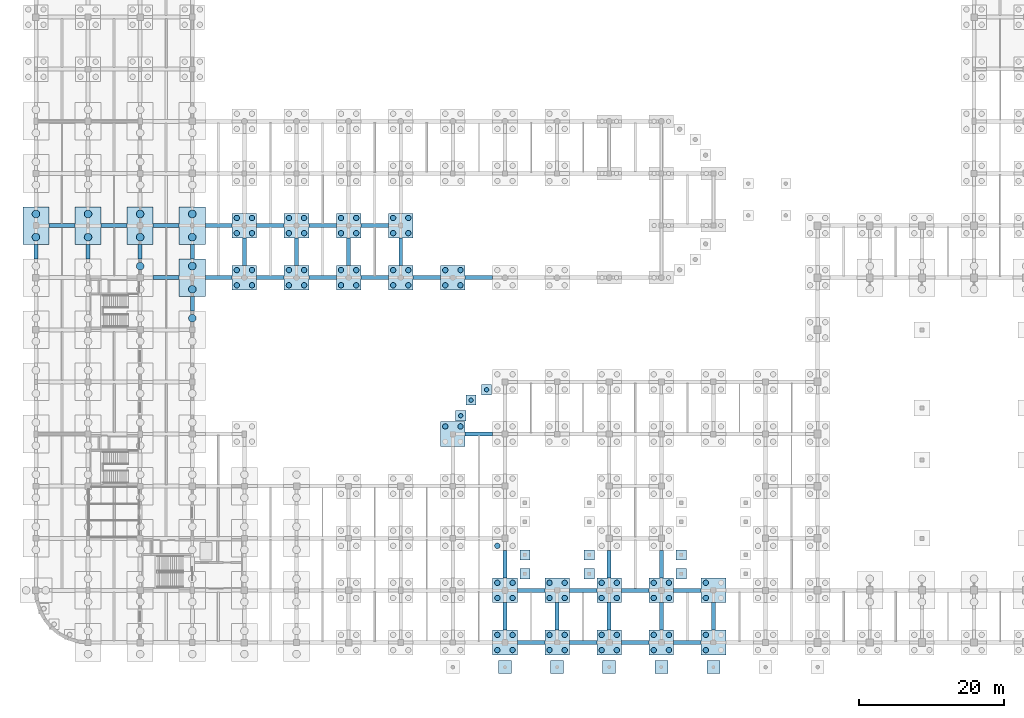
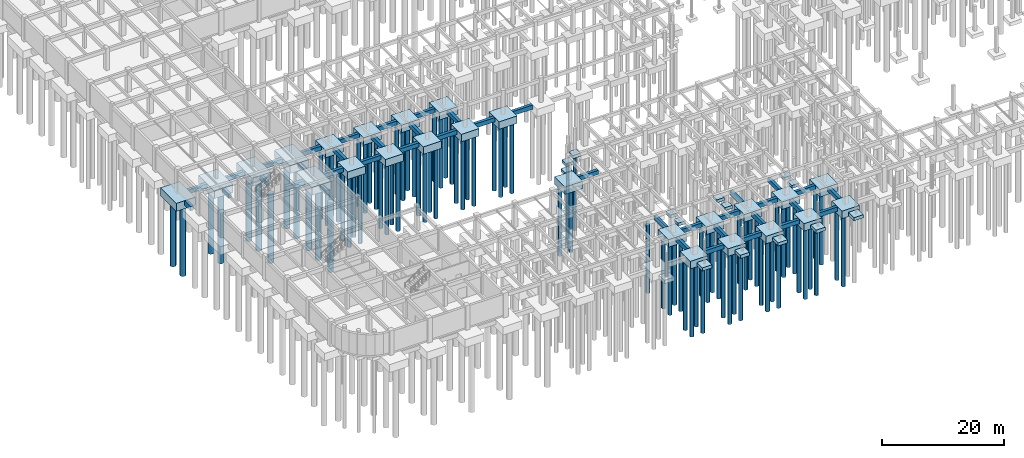
# One storey, part 3 of 47: 90 piles, 79 footings.
"""IFC4 building model written with IfcOpenShell, lengths in metres."""

from ifc_helpers import new_model, si_unit, direction, frame, origin, origin_2d, place, context, subcontext, project, spatial, rectangle, circle, extrude, material, material_profile, profile_set, type_object, element, save


model = new_model("IFC4")

# Units and contexts
model_context = context("Model", 3, precision=1e-05, world=origin(), true_north=direction((0.0, 1.0)))
body_context = subcontext(model_context, "Body", "Model", "MODEL_VIEW")
ifc_project = project(units=[si_unit("LENGTHUNIT", "METRE"), si_unit("AREAUNIT", "SQUARE_METRE"), si_unit("VOLUMEUNIT", "CUBIC_METRE"), si_unit("PLANEANGLEUNIT", "RADIAN"), si_unit("MASSUNIT", "GRAM", prefix="KILO")], contexts=[model_context])

# Site, building, storey
site_placement = place(None, origin())
site = spatial("IfcSite", under=ifc_project, at=site_placement, CompositionType="ELEMENT")
building_placement = place(site_placement, origin())
building = spatial("IfcBuilding", under=site, at=building_placement, Name="Thalmaran Polytechnic", CompositionType="ELEMENT")
storey_placement = place(building_placement, frame((0.0, 0.0, -4.5)))
storey = spatial("IfcBuildingStorey", under=building, at=storey_placement, Name="B1", CompositionType="ELEMENT", Elevation=-4.5)

# Footings
ifc_material_1 = material(Name="Concrete C40/50", Category="concrete")
ifc_material_profile_1 = material_profile(ifc_material_1, rectangle(XDim=0.550048828125, YDim=0.85009765625, at=origin_2d()), Name="RC 550x850")
ifc_profile_set_1 = profile_set([ifc_material_profile_1], Name="Concrete C40/50")
footing_type_1 = type_object("IfcFootingType", Name="FN-GB01", PredefinedType="FOOTING_BEAM", material=ifc_profile_set_1)
footing_1_placement = place(storey_placement, frame((0.0, 53.0, -0.875), z_axis=(0.0, 1.0, 0.0), x_axis=(-1.0, 0.0, 0.0)))
element("IfcFooting", 1, at=footing_1_placement, inside=storey, type_object=footing_type_1, Name="Ground Tie Beam B1 Y (0,7)", PredefinedType="FOOTING_BEAM", context=body_context, shape_type="SweptSolid", body=[
    extrude(rectangle(XDim=0.550048828125, YDim=0.85009765625, at=origin_2d()), origin(), (0.0, 0.0, 1.0), 2.0),
])
footing_2_placement = place(storey_placement, frame((1.800048828125, 57.60009765625, -0.875), z_axis=(1.0, 0.0, 0.0), x_axis=(0.0, 1.0, 0.0)))
element("IfcFooting", 2, at=footing_2_placement, inside=storey, type_object=footing_type_1, Name="Ground Tie Beam B1 X (0,8)", PredefinedType="FOOTING_BEAM", context=body_context, shape_type="SweptSolid", body=[
    extrude(rectangle(XDim=0.550048828125, YDim=0.85009765625, at=origin_2d()), origin(), (0.0, 0.0, 1.0), 3.599853515625),
])
footing_3_placement = place(storey_placement, frame((7.199951171875, 53.0, -0.875), z_axis=(0.0, 1.0, 0.0), x_axis=(-1.0, 0.0, 0.0)))
element("IfcFooting", 3, at=footing_3_placement, inside=storey, type_object=footing_type_1, Name="Ground Tie Beam B1 Y (1,7)", PredefinedType="FOOTING_BEAM", context=body_context, shape_type="SweptSolid", body=[
    extrude(rectangle(XDim=0.550048828125, YDim=0.85009765625, at=origin_2d()), origin(), (0.0, 0.0, 1.0), 2.0),
])
for number, where, z_axis, x_axis, name in (
    (4, (9.0, 57.60009765625, -0.875), (1.0, 0.0, 0.0), (0.0, 1.0, 0.0), "Ground Tie Beam B1 X (1,8)"),
    (5, (16.199951171875, 50.39990234375, -0.875), (1.0, 0.0, 0.0), (0.0, 1.0, 0.0), "Ground Tie Beam B1 X (2,7)"),
):
    element("IfcFooting", number, at=place(storey_placement, frame(where, z_axis=z_axis, x_axis=x_axis)), inside=storey, type_object=footing_type_1, Name=name, PredefinedType="FOOTING_BEAM", context=body_context, shape_type="SweptSolid", body=[
        extrude(rectangle(XDim=0.550048828125, YDim=0.85009765625, at=origin_2d()), origin(), (0.0, 0.0, 1.0), 3.60009765625),
    ])
footing_4_placement = place(storey_placement, frame((14.39990234375, 53.0, -0.875), z_axis=(0.0, 1.0, 0.0), x_axis=(-1.0, 0.0, 0.0)))
element("IfcFooting", 6, at=footing_4_placement, inside=storey, type_object=footing_type_1, Name="Ground Tie Beam B1 Y (2,7)", PredefinedType="FOOTING_BEAM", context=body_context, shape_type="SweptSolid", body=[
    extrude(rectangle(XDim=0.550048828125, YDim=0.85009765625, at=origin_2d()), origin(), (0.0, 0.0, 1.0), 2.0),
])
footing_5_placement = place(storey_placement, frame((16.199951171875, 57.60009765625, -0.875), z_axis=(1.0, 0.0, 0.0), x_axis=(0.0, 1.0, 0.0)))
element("IfcFooting", 7, at=footing_5_placement, inside=storey, type_object=footing_type_1, Name="Ground Tie Beam B1 X (2,8)", PredefinedType="FOOTING_BEAM", context=body_context, shape_type="SweptSolid", body=[
    extrude(rectangle(XDim=0.550048828125, YDim=0.85009765625, at=origin_2d()), origin(), (0.0, 0.0, 1.0), 3.60009765625),
])
footing_6_placement = place(storey_placement, frame((21.60009765625, 45.800048828125, -0.875), z_axis=(0.0, 1.0, 0.0), x_axis=(-1.0, 0.0, 0.0)))
element("IfcFooting", 8, at=footing_6_placement, inside=storey, type_object=footing_type_1, Name="Ground Tie Beam B1 Y (3,6)", PredefinedType="FOOTING_BEAM", context=body_context, shape_type="SweptSolid", body=[
    extrude(rectangle(XDim=0.550048828125, YDim=0.85009765625, at=origin_2d()), origin(), (0.0, 0.0, 1.0), 2.0),
])
footing_7_placement = place(storey_placement, frame((23.39990234375, 50.39990234375, -0.875), z_axis=(1.0, 0.0, 0.0), x_axis=(0.0, 1.0, 0.0)))
element("IfcFooting", 9, at=footing_7_placement, inside=storey, type_object=footing_type_1, Name="Ground Tie Beam B1 X (3,7)", PredefinedType="FOOTING_BEAM", context=body_context, shape_type="SweptSolid", body=[
    extrude(rectangle(XDim=0.550048828125, YDim=0.85009765625, at=origin_2d()), origin(), (0.0, 0.0, 1.0), 3.7001953125),
])
footing_8_placement = place(storey_placement, frame((21.60009765625, 53.0, -0.875), z_axis=(0.0, 1.0, 0.0), x_axis=(-1.0, 0.0, 0.0)))
element("IfcFooting", 10, at=footing_8_placement, inside=storey, type_object=footing_type_1, Name="Ground Tie Beam B1 Y (3,7)", PredefinedType="FOOTING_BEAM", context=body_context, shape_type="SweptSolid", body=[
    extrude(rectangle(XDim=0.550048828125, YDim=0.85009765625, at=origin_2d()), origin(), (0.0, 0.0, 1.0), 2.0),
])
footing_9_placement = place(storey_placement, frame((23.39990234375, 57.60009765625, -0.875), z_axis=(1.0, 0.0, 0.0), x_axis=(0.0, 1.0, 0.0)))
element("IfcFooting", 11, at=footing_9_placement, inside=storey, type_object=footing_type_1, Name="Ground Tie Beam B1 X (3,8)", PredefinedType="FOOTING_BEAM", context=body_context, shape_type="SweptSolid", body=[
    extrude(rectangle(XDim=0.550048828125, YDim=0.85009765625, at=origin_2d()), origin(), (0.0, 0.0, 1.0), 3.7001953125),
])
footing_10_placement = place(storey_placement, frame((30.5, 50.39990234375, -0.875), z_axis=(1.0, 0.0, 0.0), x_axis=(0.0, 1.0, 0.0)))
element("IfcFooting", 12, at=footing_10_placement, inside=storey, type_object=footing_type_1, Name="Ground Tie Beam B1 X (4,7)", PredefinedType="FOOTING_BEAM", context=body_context, shape_type="SweptSolid", body=[
    extrude(rectangle(XDim=0.550048828125, YDim=0.85009765625, at=origin_2d()), origin(), (0.0, 0.0, 1.0), 3.800048828125),
])
footing_11_placement = place(storey_placement, frame((28.800048828125, 52.10009765625, -0.875), z_axis=(0.0, 1.0, 0.0), x_axis=(-1.0, 0.0, 0.0)))
element("IfcFooting", 13, at=footing_11_placement, inside=storey, type_object=footing_type_1, Name="Ground Tie Beam B1 Y (4,7)", PredefinedType="FOOTING_BEAM", context=body_context, shape_type="SweptSolid", body=[
    extrude(rectangle(XDim=0.550048828125, YDim=0.85009765625, at=origin_2d()), origin(), (0.0, 0.0, 1.0), 3.7998046875),
])
for number, where, z_axis, x_axis, name in (
    (14, (30.5, 57.60009765625, -0.875), (1.0, 0.0, 0.0), (0.0, 1.0, 0.0), "Ground Tie Beam B1 X (4,8)"),
    (15, (37.699951171875, 50.39990234375, -0.875), (1.0, 0.0, 0.0), (0.0, 1.0, 0.0), "Ground Tie Beam B1 X (5,7)"),
):
    element("IfcFooting", number, at=place(storey_placement, frame(where, z_axis=z_axis, x_axis=x_axis)), inside=storey, type_object=footing_type_1, Name=name, PredefinedType="FOOTING_BEAM", context=body_context, shape_type="SweptSolid", body=[
        extrude(rectangle(XDim=0.550048828125, YDim=0.85009765625, at=origin_2d()), origin(), (0.0, 0.0, 1.0), 3.800048828125),
    ])
footing_12_placement = place(storey_placement, frame((36.0, 52.10009765625, -0.875), z_axis=(0.0, 1.0, 0.0), x_axis=(-1.0, 0.0, 0.0)))
element("IfcFooting", 16, at=footing_12_placement, inside=storey, type_object=footing_type_1, Name="Ground Tie Beam B1 Y (5,7)", PredefinedType="FOOTING_BEAM", context=body_context, shape_type="SweptSolid", body=[
    extrude(rectangle(XDim=0.550048828125, YDim=0.85009765625, at=origin_2d()), origin(), (0.0, 0.0, 1.0), 3.7998046875),
])
for number, where, z_axis, x_axis, name in (
    (17, (37.699951171875, 57.60009765625, -0.875), (1.0, 0.0, 0.0), (0.0, 1.0, 0.0), "Ground Tie Beam B1 X (5,8)"),
    (18, (44.89990234375, 50.39990234375, -0.875), (1.0, 0.0, 0.0), (0.0, 1.0, 0.0), "Ground Tie Beam B1 X (6,7)"),
):
    element("IfcFooting", number, at=place(storey_placement, frame(where, z_axis=z_axis, x_axis=x_axis)), inside=storey, type_object=footing_type_1, Name=name, PredefinedType="FOOTING_BEAM", context=body_context, shape_type="SweptSolid", body=[
        extrude(rectangle(XDim=0.550048828125, YDim=0.85009765625, at=origin_2d()), origin(), (0.0, 0.0, 1.0), 3.800048828125),
    ])
footing_13_placement = place(storey_placement, frame((43.199951171875, 52.10009765625, -0.875), z_axis=(0.0, 1.0, 0.0), x_axis=(-1.0, 0.0, 0.0)))
element("IfcFooting", 19, at=footing_13_placement, inside=storey, type_object=footing_type_1, Name="Ground Tie Beam B1 Y (6,7)", PredefinedType="FOOTING_BEAM", context=body_context, shape_type="SweptSolid", body=[
    extrude(rectangle(XDim=0.550048828125, YDim=0.85009765625, at=origin_2d()), origin(), (0.0, 0.0, 1.0), 3.7998046875),
])
footing_14_placement = place(storey_placement, frame((44.89990234375, 57.60009765625, -0.875), z_axis=(1.0, 0.0, 0.0), x_axis=(0.0, 1.0, 0.0)))
element("IfcFooting", 20, at=footing_14_placement, inside=storey, type_object=footing_type_1, Name="Ground Tie Beam B1 X (6,8)", PredefinedType="FOOTING_BEAM", context=body_context, shape_type="SweptSolid", body=[
    extrude(rectangle(XDim=0.550048828125, YDim=0.85009765625, at=origin_2d()), origin(), (0.0, 0.0, 1.0), 3.800048828125),
])
for number, where, z_axis, x_axis, name in (
    (21, (52.10009765625, 50.39990234375, -0.875), (1.0, 0.0, 0.0), (0.0, 1.0, 0.0), "Ground Tie Beam B1 X (7,7)"),
    (22, (50.39990234375, 52.10009765625, -0.875), (0.0, 1.0, 0.0), (-1.0, 0.0, 0.0), "Ground Tie Beam B1 Y (7,7)"),
):
    element("IfcFooting", number, at=place(storey_placement, frame(where, z_axis=z_axis, x_axis=x_axis)), inside=storey, type_object=footing_type_1, Name=name, PredefinedType="FOOTING_BEAM", context=body_context, shape_type="SweptSolid", body=[
        extrude(rectangle(XDim=0.550048828125, YDim=0.85009765625, at=origin_2d()), origin(), (0.0, 0.0, 1.0), 3.7998046875),
    ])
for number, where, z_axis, x_axis, name in (
    (23, (59.300048828125, 28.800048828125, -0.875), (1.0, 0.0, 0.0), (0.0, 1.0, 0.0), "Ground Tie Beam B1 X (8,4)"),
    (24, (59.300048828125, 50.39990234375, -0.875), (1.0, 0.0, 0.0), (0.0, 1.0, 0.0), "Ground Tie Beam B1 X (8,7)"),
    (25, (66.5, 0.0, -0.875), (1.0, 0.0, 0.0), (0.0, 1.0, 0.0), "Ground Tie Beam B1 X (9,0)"),
    (26, (64.800048828125, 1.699951171875, -0.875), (0.0, 1.0, 0.0), (-1.0, 0.0, 0.0), "Ground Tie Beam B1 Y (9,0)"),
    (27, (66.5, 7.199951171875, -0.875), (1.0, 0.0, 0.0), (0.0, 1.0, 0.0), "Ground Tie Beam B1 X (9,1)"),
    (28, (64.800048828125, 8.89990234375, -0.875), (0.0, 1.0, 0.0), (-1.0, 0.0, 0.0), "Ground Tie Beam B1 Y (9,1)"),
    (29, (73.699951171875, 0.0, -0.875), (1.0, 0.0, 0.0), (0.0, 1.0, 0.0), "Ground Tie Beam B1 X (10,0)"),
    (30, (72.0, 1.699951171875, -0.875), (0.0, 1.0, 0.0), (-1.0, 0.0, 0.0), "Ground Tie Beam B1 Y (10,0)"),
    (31, (73.699951171875, 7.199951171875, -0.875), (1.0, 0.0, 0.0), (0.0, 1.0, 0.0), "Ground Tie Beam B1 X (10,1)"),
    (32, (80.89990234375, 0.0, -0.875), (1.0, 0.0, 0.0), (0.0, 1.0, 0.0), "Ground Tie Beam B1 X (11,0)"),
    (33, (79.199951171875, 1.699951171875, -0.875), (0.0, 1.0, 0.0), (-1.0, 0.0, 0.0), "Ground Tie Beam B1 Y (11,0)"),
    (34, (80.89990234375, 7.199951171875, -0.875), (1.0, 0.0, 0.0), (0.0, 1.0, 0.0), "Ground Tie Beam B1 X (11,1)"),
    (35, (79.199951171875, 8.89990234375, -0.875), (0.0, 1.0, 0.0), (-1.0, 0.0, 0.0), "Ground Tie Beam B1 Y (11,1)"),
):
    element("IfcFooting", number, at=place(storey_placement, frame(where, z_axis=z_axis, x_axis=x_axis)), inside=storey, type_object=footing_type_1, Name=name, PredefinedType="FOOTING_BEAM", context=body_context, shape_type="SweptSolid", body=[
        extrude(rectangle(XDim=0.550048828125, YDim=0.85009765625, at=origin_2d()), origin(), (0.0, 0.0, 1.0), 3.800048828125),
    ])
footing_15_placement = place(storey_placement, frame((88.10009765625, 0.0, -0.875), z_axis=(1.0, 0.0, 0.0), x_axis=(0.0, 1.0, 0.0)))
element("IfcFooting", 36, at=footing_15_placement, inside=storey, type_object=footing_type_1, Name="Ground Tie Beam B1 X (12,0)", PredefinedType="FOOTING_BEAM", context=body_context, shape_type="SweptSolid", body=[
    extrude(rectangle(XDim=0.550048828125, YDim=0.85009765625, at=origin_2d()), origin(), (0.0, 0.0, 1.0), 3.7998046875),
])
footing_16_placement = place(storey_placement, frame((86.39990234375, 1.699951171875, -0.875), z_axis=(0.0, 1.0, 0.0), x_axis=(-1.0, 0.0, 0.0)))
element("IfcFooting", 37, at=footing_16_placement, inside=storey, type_object=footing_type_1, Name="Ground Tie Beam B1 Y (12,0)", PredefinedType="FOOTING_BEAM", context=body_context, shape_type="SweptSolid", body=[
    extrude(rectangle(XDim=0.550048828125, YDim=0.85009765625, at=origin_2d()), origin(), (0.0, 0.0, 1.0), 3.800048828125),
])
footing_17_placement = place(storey_placement, frame((88.10009765625, 7.199951171875, -0.875), z_axis=(1.0, 0.0, 0.0), x_axis=(0.0, 1.0, 0.0)))
element("IfcFooting", 38, at=footing_17_placement, inside=storey, type_object=footing_type_1, Name="Ground Tie Beam B1 X (12,1)", PredefinedType="FOOTING_BEAM", context=body_context, shape_type="SweptSolid", body=[
    extrude(rectangle(XDim=0.550048828125, YDim=0.85009765625, at=origin_2d()), origin(), (0.0, 0.0, 1.0), 3.7998046875),
])
for number, where, z_axis, x_axis, name in (
    (39, (86.39990234375, 8.89990234375, -0.875), (0.0, 1.0, 0.0), (-1.0, 0.0, 0.0), "Ground Tie Beam B1 Y (12,1)"),
    (40, (93.60009765625, 1.699951171875, -0.875), (0.0, 1.0, 0.0), (-1.0, 0.0, 0.0), "Ground Tie Beam B1 Y (13,0)"),
):
    element("IfcFooting", number, at=place(storey_placement, frame(where, z_axis=z_axis, x_axis=x_axis)), inside=storey, type_object=footing_type_1, Name=name, PredefinedType="FOOTING_BEAM", context=body_context, shape_type="SweptSolid", body=[
        extrude(rectangle(XDim=0.550048828125, YDim=0.85009765625, at=origin_2d()), origin(), (0.0, 0.0, 1.0), 3.800048828125),
    ])
footing_type_2 = type_object("IfcFootingType", Name="FN-PC01", PredefinedType="PILE_CAP", material=ifc_material_1)
for number, where, z_axis, x_axis, name in (
    (41, (28.800048828125, 50.39990234375, -1.949951171875), (0.0, 0.0, 1.0), (1.0, 0.0, 0.0), "Pile Cap PC01 (4,7)"),
    (42, (28.800048828125, 57.60009765625, -1.949951171875), (0.0, 0.0, 1.0), (1.0, 0.0, 0.0), "Pile Cap PC01 (4,8)"),
    (43, (36.0, 50.39990234375, -1.949951171875), (0.0, 0.0, 1.0), (1.0, 0.0, 0.0), "Pile Cap PC01 (5,7)"),
    (44, (36.0, 57.60009765625, -1.949951171875), (0.0, 0.0, 1.0), (1.0, 0.0, 0.0), "Pile Cap PC01 (5,8)"),
    (45, (43.199951171875, 50.39990234375, -1.949951171875), (0.0, 0.0, 1.0), (1.0, 0.0, 0.0), "Pile Cap PC01 (6,7)"),
    (46, (43.199951171875, 57.60009765625, -1.949951171875), (0.0, 0.0, 1.0), (1.0, 0.0, 0.0), "Pile Cap PC01 (6,8)"),
    (47, (50.39990234375, 50.39990234375, -1.949951171875), (0.0, 0.0, 1.0), (1.0, 0.0, 0.0), "Pile Cap PC01 (7,7)"),
    (48, (50.39990234375, 57.60009765625, -1.949951171875), (0.0, 0.0, 1.0), (1.0, 0.0, 0.0), "Pile Cap PC01 (7,8)"),
    (49, (57.60009765625, 28.800048828125, -1.949951171875), (0.0, 0.0, 1.0), (1.0, 0.0, 0.0), "Pile Cap PC01 (8,4)"),
    (50, (57.60009765625, 50.39990234375, -1.949951171875), (0.0, 0.0, 1.0), (1.0, 0.0, 0.0), "Pile Cap PC01 (8,7)"),
    (51, (64.800048828125, 0.0, -1.949951171875), (0.0, 0.0, 1.0), (1.0, 0.0, 0.0), "Pile Cap PC01 (9,0)"),
    (52, (64.800048828125, 7.199951171875, -1.949951171875), (0.0, 0.0, 1.0), (1.0, 0.0, 0.0), "Pile Cap PC01 (9,1)"),
    (53, (72.0, 0.0, -1.949951171875), (0.0, 0.0, 1.0), (1.0, 0.0, 0.0), "Pile Cap PC01 (10,0)"),
    (54, (72.0, 7.199951171875, -1.949951171875), (0.0, 0.0, 1.0), (1.0, 0.0, 0.0), "Pile Cap PC01 (10,1)"),
    (55, (79.199951171875, 0.0, -1.949951171875), (0.0, 0.0, 1.0), (1.0, 0.0, 0.0), "Pile Cap PC01 (11,0)"),
    (56, (79.199951171875, 7.199951171875, -1.949951171875), (0.0, 0.0, 1.0), (1.0, 0.0, 0.0), "Pile Cap PC01 (11,1)"),
    (57, (86.39990234375, 0.0, -1.949951171875), (0.0, 0.0, 1.0), (1.0, 0.0, 0.0), "Pile Cap PC01 (12,0)"),
    (58, (86.39990234375, 7.199951171875, -1.949951171875), (0.0, 0.0, 1.0), (1.0, 0.0, 0.0), "Pile Cap PC01 (12,1)"),
    (59, (93.60009765625, 0.0, -1.949951171875), (0.0, 0.0, 1.0), (1.0, 0.0, 0.0), "Pile Cap PC01 (13,0)"),
    (60, (93.60009765625, 7.199951171875, -1.949951171875), (0.0, 0.0, 1.0), (1.0, 0.0, 0.0), "Pile Cap PC01 (13,1)"),
):
    element("IfcFooting", number, at=place(storey_placement, frame(where, z_axis=z_axis, x_axis=x_axis)), inside=storey, type_object=footing_type_2, Name=name, PredefinedType="PILE_CAP", context=body_context, shape_type="SweptSolid", body=[
        extrude(rectangle(XDim=3.39990234375, YDim=3.39990234375, at=origin_2d()), origin(), (0.0, 0.0, 1.0), 1.5),
    ])
footing_type_3 = type_object("IfcFootingType", Name="FN-PC08", PredefinedType="PILE_CAP", material=ifc_material_1)
for number, where, z_axis, x_axis, name in (
    (61, (0.0, 57.60009765625, -2.050048828125), (0.0, 0.0, 1.0), (1.0, 0.0, 0.0), "Pile Cap PC08 (0,8)"),
    (62, (7.199951171875, 57.60009765625, -2.050048828125), (0.0, 0.0, 1.0), (1.0, 0.0, 0.0), "Pile Cap PC08 (1,8)"),
    (63, (14.39990234375, 57.60009765625, -2.050048828125), (0.0, 0.0, 1.0), (1.0, 0.0, 0.0), "Pile Cap PC08 (2,8)"),
    (64, (21.60009765625, 50.39990234375, -2.050048828125), (0.0, 0.0, 1.0), (1.0, 0.0, 0.0), "Pile Cap PC08 (3,7)"),
    (65, (21.60009765625, 57.60009765625, -2.050048828125), (0.0, 0.0, 1.0), (1.0, 0.0, 0.0), "Pile Cap PC08 (3,8)"),
):
    element("IfcFooting", number, at=place(storey_placement, frame(where, z_axis=z_axis, x_axis=x_axis)), inside=storey, type_object=footing_type_3, Name=name, PredefinedType="PILE_CAP", context=body_context, shape_type="SweptSolid", body=[
        extrude(rectangle(XDim=3.60009765625, YDim=5.199951171875, at=origin_2d()), origin(), (0.0, 0.0, 1.0), 1.60009765625),
    ])
footing_type_4 = type_object("IfcFootingType", Name="FN-PF02", PredefinedType="PAD_FOOTING", material=ifc_material_1)
for number, where, z_axis, x_axis, name in (
    (66, (64.800048828125, -3.39990234375, -1.099853515625), (0.0, 0.0, 1.0), (1.0, 0.0, 0.0), "Arcade Sabkha Pad Footing S1"),
    (67, (72.0, -3.39990234375, -1.099853515625), (0.0, 0.0, 1.0), (1.0, 0.0, 0.0), "Arcade Sabkha Pad Footing S2"),
    (68, (79.199951171875, -3.39990234375, -1.099853515625), (0.0, 0.0, 1.0), (1.0, 0.0, 0.0), "Arcade Sabkha Pad Footing S3"),
    (69, (86.39990234375, -3.39990234375, -1.099853515625), (0.0, 0.0, 1.0), (1.0, 0.0, 0.0), "Arcade Sabkha Pad Footing S4"),
    (70, (93.60009765625, -3.39990234375, -1.099853515625), (0.0, 0.0, 1.0), (1.0, 0.0, 0.0), "Arcade Sabkha Pad Footing S5"),
):
    element("IfcFooting", number, at=place(storey_placement, frame(where, z_axis=z_axis, x_axis=x_axis)), inside=storey, type_object=footing_type_4, Name=name, PredefinedType="PAD_FOOTING", context=body_context, shape_type="SweptSolid", body=[
        extrude(rectangle(XDim=1.800048828125, YDim=1.800048828125, at=origin_2d()), origin(), (0.0, 0.0, 1.0), 0.64990234375),
    ])
footing_type_5 = type_object("IfcFootingType", Name="FN-PF03", PredefinedType="PAD_FOOTING", material=ifc_material_1)
for number, where, z_axis, x_axis, name in (
    (71, (62.2666015625, 34.916015625, -1.050048828125), (0.0, 0.0, 1.0), (1.0, 0.0, 0.0), "Prow Column Cap LTP1"),
    (72, (60.118896484375, 33.48095703125, -1.050048828125), (0.0, 0.0, 1.0), (1.0, 0.0, 0.0), "Prow Column Cap LTP2"),
    (73, (58.683837890625, 31.333251953125, -1.050048828125), (0.0, 0.0, 1.0), (1.0, 0.0, 0.0), "Prow Column Cap LTP3"),
    (74, (67.550048828125, 9.5, -1.050048828125), (0.0, 0.0, 1.0), (1.0, 0.0, 0.0), "Lecture Tier Footing 1-1"),
    (75, (67.550048828125, 12.10009765625, -1.050048828125), (0.0, 0.0, 1.0), (1.0, 0.0, 0.0), "Lecture Tier Footing 1-1"),
    (76, (76.449951171875, 9.5, -1.050048828125), (0.0, 0.0, 1.0), (1.0, 0.0, 0.0), "Lecture Tier Footing 1-1"),
    (77, (76.449951171875, 12.10009765625, -1.050048828125), (0.0, 0.0, 1.0), (1.0, 0.0, 0.0), "Lecture Tier Footing 1-1"),
    (78, (89.14990234375, 9.5, -1.050048828125), (0.0, 0.0, 1.0), (1.0, 0.0, 0.0), "Lecture Tier Footing 2-1"),
    (79, (89.14990234375, 12.10009765625, -1.050048828125), (0.0, 0.0, 1.0), (1.0, 0.0, 0.0), "Lecture Tier Footing 2-1"),
):
    element("IfcFooting", number, at=place(storey_placement, frame(where, z_axis=z_axis, x_axis=x_axis)), inside=storey, type_object=footing_type_5, Name=name, PredefinedType="PAD_FOOTING", context=body_context, shape_type="SweptSolid", body=[
        extrude(rectangle(XDim=1.39990234375, YDim=1.39990234375, at=origin_2d()), origin(), (0.0, 0.0, 1.0), 0.60009765625),
    ])

# Piles
ifc_material_2 = material(Name="Concrete C35/45", Category="concrete")
ifc_material_profile_2 = material_profile(ifc_material_2, circle(Radius=0.52490234375, at=origin_2d()), Name="RC 1050 DIA")
ifc_profile_set_2 = profile_set([ifc_material_profile_2], Name="Concrete C35/45")
pile_type_1 = type_object("IfcPileType", Name="PL-BP01", PredefinedType="BORED", material=ifc_profile_set_2)
for number, where, z_axis, x_axis, name in (
    (80, (0.0, 56.0, -2.050048828125), (0.0, 0.0, -1.0), (1.0, 0.0, 0.0), "Bored Pile BP01 (0,8)-1"),
    (81, (0.0, 59.199951171875, -2.050048828125), (0.0, 0.0, -1.0), (1.0, 0.0, 0.0), "Bored Pile BP01 (0,8)-2"),
    (82, (7.199951171875, 56.0, -2.050048828125), (0.0, 0.0, -1.0), (1.0, 0.0, 0.0), "Bored Pile BP01 (1,8)-1"),
    (83, (7.199951171875, 59.199951171875, -2.050048828125), (0.0, 0.0, -1.0), (1.0, 0.0, 0.0), "Bored Pile BP01 (1,8)-2"),
    (84, (14.39990234375, 52.0, -2.050048828125), (0.0, 0.0, -1.0), (1.0, 0.0, 0.0), "Bored Pile BP01 (2,7)-2"),
    (85, (14.39990234375, 56.0, -2.050048828125), (0.0, 0.0, -1.0), (1.0, 0.0, 0.0), "Bored Pile BP01 (2,8)-1"),
    (86, (14.39990234375, 59.199951171875, -2.050048828125), (0.0, 0.0, -1.0), (1.0, 0.0, 0.0), "Bored Pile BP01 (2,8)-2"),
    (87, (21.60009765625, 44.800048828125, -2.050048828125), (0.0, 0.0, -1.0), (1.0, 0.0, 0.0), "Bored Pile BP01 (3,6)-2"),
    (88, (21.60009765625, 48.800048828125, -2.050048828125), (0.0, 0.0, -1.0), (1.0, 0.0, 0.0), "Bored Pile BP01 (3,7)-1"),
    (89, (21.60009765625, 52.0, -2.050048828125), (0.0, 0.0, -1.0), (1.0, 0.0, 0.0), "Bored Pile BP01 (3,7)-2"),
    (90, (21.60009765625, 56.0, -2.050048828125), (0.0, 0.0, -1.0), (1.0, 0.0, 0.0), "Bored Pile BP01 (3,8)-1"),
    (91, (21.60009765625, 59.199951171875, -2.050048828125), (0.0, 0.0, -1.0), (1.0, 0.0, 0.0), "Bored Pile BP01 (3,8)-2"),
):
    element("IfcPile", number, at=place(storey_placement, frame(where, z_axis=z_axis, x_axis=x_axis)), inside=storey, type_object=pile_type_1, Name=name, PredefinedType="BORED", context=body_context, shape_type="SweptSolid", body=[
        extrude(circle(Radius=0.52490234375, at=origin_2d()), origin(), (0.0, 0.0, 1.0), 13.949951171875),
    ])
ifc_material_profile_3 = material_profile(ifc_material_2, circle(Radius=0.375, at=origin_2d()), Name="RC 750 DIA")
ifc_profile_set_3 = profile_set([ifc_material_profile_3], Name="Concrete C35/45")
pile_type_2 = type_object("IfcPileType", Name="PL-BP03", PredefinedType="BORED", material=ifc_profile_set_3)
for number, where, z_axis, x_axis, name in (
    (92, (27.75, 49.35009765625, -1.949951171875), (0.0, 0.0, -1.0), (1.0, 0.0, 0.0), "Bored Pile BP03 (4,7)-1"),
    (93, (27.75, 51.449951171875, -1.949951171875), (0.0, 0.0, -1.0), (1.0, 0.0, 0.0), "Bored Pile BP03 (4,7)-2"),
    (94, (29.85009765625, 49.35009765625, -1.949951171875), (0.0, 0.0, -1.0), (1.0, 0.0, 0.0), "Bored Pile BP03 (4,7)-3"),
    (95, (29.85009765625, 51.449951171875, -1.949951171875), (0.0, 0.0, -1.0), (1.0, 0.0, 0.0), "Bored Pile BP03 (4,7)-4"),
    (96, (27.75, 56.550048828125, -1.949951171875), (0.0, 0.0, -1.0), (1.0, 0.0, 0.0), "Bored Pile BP03 (4,8)-1"),
    (97, (27.75, 58.64990234375, -1.949951171875), (0.0, 0.0, -1.0), (1.0, 0.0, 0.0), "Bored Pile BP03 (4,8)-2"),
    (98, (29.85009765625, 56.550048828125, -1.949951171875), (0.0, 0.0, -1.0), (1.0, 0.0, 0.0), "Bored Pile BP03 (4,8)-3"),
    (99, (29.85009765625, 58.64990234375, -1.949951171875), (0.0, 0.0, -1.0), (1.0, 0.0, 0.0), "Bored Pile BP03 (4,8)-4"),
    (100, (34.949951171875, 49.35009765625, -1.949951171875), (0.0, 0.0, -1.0), (1.0, 0.0, 0.0), "Bored Pile BP03 (5,7)-1"),
    (101, (34.949951171875, 51.449951171875, -1.949951171875), (0.0, 0.0, -1.0), (1.0, 0.0, 0.0), "Bored Pile BP03 (5,7)-2"),
    (102, (37.050048828125, 49.35009765625, -1.949951171875), (0.0, 0.0, -1.0), (1.0, 0.0, 0.0), "Bored Pile BP03 (5,7)-3"),
    (103, (37.050048828125, 51.449951171875, -1.949951171875), (0.0, 0.0, -1.0), (1.0, 0.0, 0.0), "Bored Pile BP03 (5,7)-4"),
    (104, (34.949951171875, 56.550048828125, -1.949951171875), (0.0, 0.0, -1.0), (1.0, 0.0, 0.0), "Bored Pile BP03 (5,8)-1"),
    (105, (34.949951171875, 58.64990234375, -1.949951171875), (0.0, 0.0, -1.0), (1.0, 0.0, 0.0), "Bored Pile BP03 (5,8)-2"),
    (106, (37.050048828125, 56.550048828125, -1.949951171875), (0.0, 0.0, -1.0), (1.0, 0.0, 0.0), "Bored Pile BP03 (5,8)-3"),
    (107, (37.050048828125, 58.64990234375, -1.949951171875), (0.0, 0.0, -1.0), (1.0, 0.0, 0.0), "Bored Pile BP03 (5,8)-4"),
    (108, (42.14990234375, 49.35009765625, -1.949951171875), (0.0, 0.0, -1.0), (1.0, 0.0, 0.0), "Bored Pile BP03 (6,7)-1"),
    (109, (42.14990234375, 51.449951171875, -1.949951171875), (0.0, 0.0, -1.0), (1.0, 0.0, 0.0), "Bored Pile BP03 (6,7)-2"),
    (110, (44.25, 49.35009765625, -1.949951171875), (0.0, 0.0, -1.0), (1.0, 0.0, 0.0), "Bored Pile BP03 (6,7)-3"),
    (111, (44.25, 51.449951171875, -1.949951171875), (0.0, 0.0, -1.0), (1.0, 0.0, 0.0), "Bored Pile BP03 (6,7)-4"),
    (112, (42.14990234375, 56.550048828125, -1.949951171875), (0.0, 0.0, -1.0), (1.0, 0.0, 0.0), "Bored Pile BP03 (6,8)-1"),
    (113, (42.14990234375, 58.64990234375, -1.949951171875), (0.0, 0.0, -1.0), (1.0, 0.0, 0.0), "Bored Pile BP03 (6,8)-2"),
    (114, (44.25, 56.550048828125, -1.949951171875), (0.0, 0.0, -1.0), (1.0, 0.0, 0.0), "Bored Pile BP03 (6,8)-3"),
    (115, (44.25, 58.64990234375, -1.949951171875), (0.0, 0.0, -1.0), (1.0, 0.0, 0.0), "Bored Pile BP03 (6,8)-4"),
    (116, (49.35009765625, 49.35009765625, -1.949951171875), (0.0, 0.0, -1.0), (1.0, 0.0, 0.0), "Bored Pile BP03 (7,7)-1"),
    (117, (49.35009765625, 51.449951171875, -1.949951171875), (0.0, 0.0, -1.0), (1.0, 0.0, 0.0), "Bored Pile BP03 (7,7)-2"),
    (118, (51.449951171875, 49.35009765625, -1.949951171875), (0.0, 0.0, -1.0), (1.0, 0.0, 0.0), "Bored Pile BP03 (7,7)-3"),
    (119, (51.449951171875, 51.449951171875, -1.949951171875), (0.0, 0.0, -1.0), (1.0, 0.0, 0.0), "Bored Pile BP03 (7,7)-4"),
    (120, (49.35009765625, 56.550048828125, -1.949951171875), (0.0, 0.0, -1.0), (1.0, 0.0, 0.0), "Bored Pile BP03 (7,8)-1"),
    (121, (49.35009765625, 58.64990234375, -1.949951171875), (0.0, 0.0, -1.0), (1.0, 0.0, 0.0), "Bored Pile BP03 (7,8)-2"),
    (122, (51.449951171875, 56.550048828125, -1.949951171875), (0.0, 0.0, -1.0), (1.0, 0.0, 0.0), "Bored Pile BP03 (7,8)-3"),
    (123, (51.449951171875, 58.64990234375, -1.949951171875), (0.0, 0.0, -1.0), (1.0, 0.0, 0.0), "Bored Pile BP03 (7,8)-4"),
    (124, (56.550048828125, 29.85009765625, -1.949951171875), (0.0, 0.0, -1.0), (1.0, 0.0, 0.0), "Bored Pile BP03 (8,4)-2"),
    (125, (58.64990234375, 29.85009765625, -1.949951171875), (0.0, 0.0, -1.0), (1.0, 0.0, 0.0), "Bored Pile BP03 (8,4)-4"),
    (126, (56.550048828125, 49.35009765625, -1.949951171875), (0.0, 0.0, -1.0), (1.0, 0.0, 0.0), "Bored Pile BP03 (8,7)-1"),
    (127, (56.550048828125, 51.449951171875, -1.949951171875), (0.0, 0.0, -1.0), (1.0, 0.0, 0.0), "Bored Pile BP03 (8,7)-2"),
    (128, (58.64990234375, 49.35009765625, -1.949951171875), (0.0, 0.0, -1.0), (1.0, 0.0, 0.0), "Bored Pile BP03 (8,7)-3"),
    (129, (58.64990234375, 51.449951171875, -1.949951171875), (0.0, 0.0, -1.0), (1.0, 0.0, 0.0), "Bored Pile BP03 (8,7)-4"),
    (130, (63.75, -1.050048828125, -1.949951171875), (0.0, 0.0, -1.0), (1.0, 0.0, 0.0), "Bored Pile BP03 (9,0)-1"),
    (131, (63.75, 1.050048828125, -1.949951171875), (0.0, 0.0, -1.0), (1.0, 0.0, 0.0), "Bored Pile BP03 (9,0)-2"),
    (132, (65.85009765625, -1.050048828125, -1.949951171875), (0.0, 0.0, -1.0), (1.0, 0.0, 0.0), "Bored Pile BP03 (9,0)-3"),
    (133, (65.85009765625, 1.050048828125, -1.949951171875), (0.0, 0.0, -1.0), (1.0, 0.0, 0.0), "Bored Pile BP03 (9,0)-4"),
    (134, (63.75, 6.14990234375, -1.949951171875), (0.0, 0.0, -1.0), (1.0, 0.0, 0.0), "Bored Pile BP03 (9,1)-1"),
    (135, (63.75, 8.25, -1.949951171875), (0.0, 0.0, -1.0), (1.0, 0.0, 0.0), "Bored Pile BP03 (9,1)-2"),
    (136, (65.85009765625, 6.14990234375, -1.949951171875), (0.0, 0.0, -1.0), (1.0, 0.0, 0.0), "Bored Pile BP03 (9,1)-3"),
    (137, (65.85009765625, 8.25, -1.949951171875), (0.0, 0.0, -1.0), (1.0, 0.0, 0.0), "Bored Pile BP03 (9,1)-4"),
    (138, (63.75, 13.35009765625, -1.949951171875), (0.0, 0.0, -1.0), (1.0, 0.0, 0.0), "Bored Pile BP03 (9,2)-1"),
    (139, (70.949951171875, -1.050048828125, -1.949951171875), (0.0, 0.0, -1.0), (1.0, 0.0, 0.0), "Bored Pile BP03 (10,0)-1"),
    (140, (70.949951171875, 1.050048828125, -1.949951171875), (0.0, 0.0, -1.0), (1.0, 0.0, 0.0), "Bored Pile BP03 (10,0)-2"),
    (141, (73.050048828125, -1.050048828125, -1.949951171875), (0.0, 0.0, -1.0), (1.0, 0.0, 0.0), "Bored Pile BP03 (10,0)-3"),
    (142, (73.050048828125, 1.050048828125, -1.949951171875), (0.0, 0.0, -1.0), (1.0, 0.0, 0.0), "Bored Pile BP03 (10,0)-4"),
    (143, (70.949951171875, 6.14990234375, -1.949951171875), (0.0, 0.0, -1.0), (1.0, 0.0, 0.0), "Bored Pile BP03 (10,1)-1"),
    (144, (70.949951171875, 8.25, -1.949951171875), (0.0, 0.0, -1.0), (1.0, 0.0, 0.0), "Bored Pile BP03 (10,1)-2"),
    (145, (73.050048828125, 6.14990234375, -1.949951171875), (0.0, 0.0, -1.0), (1.0, 0.0, 0.0), "Bored Pile BP03 (10,1)-3"),
    (146, (73.050048828125, 8.25, -1.949951171875), (0.0, 0.0, -1.0), (1.0, 0.0, 0.0), "Bored Pile BP03 (10,1)-4"),
    (147, (78.14990234375, -1.050048828125, -1.949951171875), (0.0, 0.0, -1.0), (1.0, 0.0, 0.0), "Bored Pile BP03 (11,0)-1"),
    (148, (78.14990234375, 1.050048828125, -1.949951171875), (0.0, 0.0, -1.0), (1.0, 0.0, 0.0), "Bored Pile BP03 (11,0)-2"),
    (149, (80.25, -1.050048828125, -1.949951171875), (0.0, 0.0, -1.0), (1.0, 0.0, 0.0), "Bored Pile BP03 (11,0)-3"),
    (150, (80.25, 1.050048828125, -1.949951171875), (0.0, 0.0, -1.0), (1.0, 0.0, 0.0), "Bored Pile BP03 (11,0)-4"),
    (151, (78.14990234375, 6.14990234375, -1.949951171875), (0.0, 0.0, -1.0), (1.0, 0.0, 0.0), "Bored Pile BP03 (11,1)-1"),
    (152, (78.14990234375, 8.25, -1.949951171875), (0.0, 0.0, -1.0), (1.0, 0.0, 0.0), "Bored Pile BP03 (11,1)-2"),
    (153, (80.25, 6.14990234375, -1.949951171875), (0.0, 0.0, -1.0), (1.0, 0.0, 0.0), "Bored Pile BP03 (11,1)-3"),
    (154, (80.25, 8.25, -1.949951171875), (0.0, 0.0, -1.0), (1.0, 0.0, 0.0), "Bored Pile BP03 (11,1)-4"),
    (155, (85.35009765625, -1.050048828125, -1.949951171875), (0.0, 0.0, -1.0), (1.0, 0.0, 0.0), "Bored Pile BP03 (12,0)-1"),
    (156, (85.35009765625, 1.050048828125, -1.949951171875), (0.0, 0.0, -1.0), (1.0, 0.0, 0.0), "Bored Pile BP03 (12,0)-2"),
    (157, (87.449951171875, -1.050048828125, -1.949951171875), (0.0, 0.0, -1.0), (1.0, 0.0, 0.0), "Bored Pile BP03 (12,0)-3"),
    (158, (87.449951171875, 1.050048828125, -1.949951171875), (0.0, 0.0, -1.0), (1.0, 0.0, 0.0), "Bored Pile BP03 (12,0)-4"),
    (159, (85.35009765625, 6.14990234375, -1.949951171875), (0.0, 0.0, -1.0), (1.0, 0.0, 0.0), "Bored Pile BP03 (12,1)-1"),
    (160, (85.35009765625, 8.25, -1.949951171875), (0.0, 0.0, -1.0), (1.0, 0.0, 0.0), "Bored Pile BP03 (12,1)-2"),
    (161, (87.449951171875, 6.14990234375, -1.949951171875), (0.0, 0.0, -1.0), (1.0, 0.0, 0.0), "Bored Pile BP03 (12,1)-3"),
    (162, (87.449951171875, 8.25, -1.949951171875), (0.0, 0.0, -1.0), (1.0, 0.0, 0.0), "Bored Pile BP03 (12,1)-4"),
    (163, (92.550048828125, -1.050048828125, -1.949951171875), (0.0, 0.0, -1.0), (1.0, 0.0, 0.0), "Bored Pile BP03 (13,0)-1"),
    (164, (92.550048828125, 1.050048828125, -1.949951171875), (0.0, 0.0, -1.0), (1.0, 0.0, 0.0), "Bored Pile BP03 (13,0)-2"),
    (165, (92.550048828125, 6.14990234375, -1.949951171875), (0.0, 0.0, -1.0), (1.0, 0.0, 0.0), "Bored Pile BP03 (13,1)-1"),
    (166, (92.550048828125, 8.25, -1.949951171875), (0.0, 0.0, -1.0), (1.0, 0.0, 0.0), "Bored Pile BP03 (13,1)-2"),
):
    element("IfcPile", number, at=place(storey_placement, frame(where, z_axis=z_axis, x_axis=x_axis)), inside=storey, type_object=pile_type_2, Name=name, PredefinedType="BORED", context=body_context, shape_type="SweptSolid", body=[
        extrude(circle(Radius=0.375, at=origin_2d()), origin(), (0.0, 0.0, 1.0), 14.050048828125),
    ])
ifc_material_profile_4 = material_profile(ifc_material_2, circle(Radius=0.300048828125, at=origin_2d()), Name="RC 600 DIA")
ifc_profile_set_4 = profile_set([ifc_material_profile_4], Name="Concrete C35/45")
pile_type_3 = type_object("IfcPileType", Name="PL-BP04", PredefinedType="BORED", material=ifc_profile_set_4)
for number, where, z_axis, x_axis, name in (
    (167, (62.2666015625, 34.916015625, -1.050048828125), (0.0, 0.0, -1.0), (1.0, 0.0, 0.0), "Prow Bored Pile LTP1"),
    (168, (60.118896484375, 33.48095703125, -1.050048828125), (0.0, 0.0, -1.0), (1.0, 0.0, 0.0), "Prow Bored Pile LTP2"),
    (169, (58.683837890625, 31.333251953125, -1.050048828125), (0.0, 0.0, -1.0), (1.0, 0.0, 0.0), "Prow Bored Pile LTP3"),
):
    element("IfcPile", number, at=place(storey_placement, frame(where, z_axis=z_axis, x_axis=x_axis)), inside=storey, type_object=pile_type_3, Name=name, PredefinedType="BORED", context=body_context, shape_type="SweptSolid", body=[
        extrude(circle(Radius=0.300048828125, at=origin_2d()), origin(), (0.0, 0.0, 1.0), 14.949951171875),
    ])

save(model, "model.ifc")
